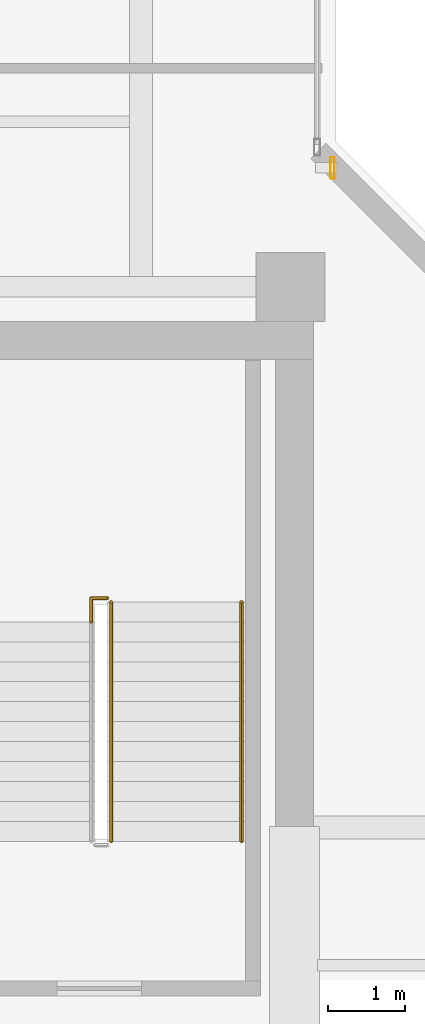
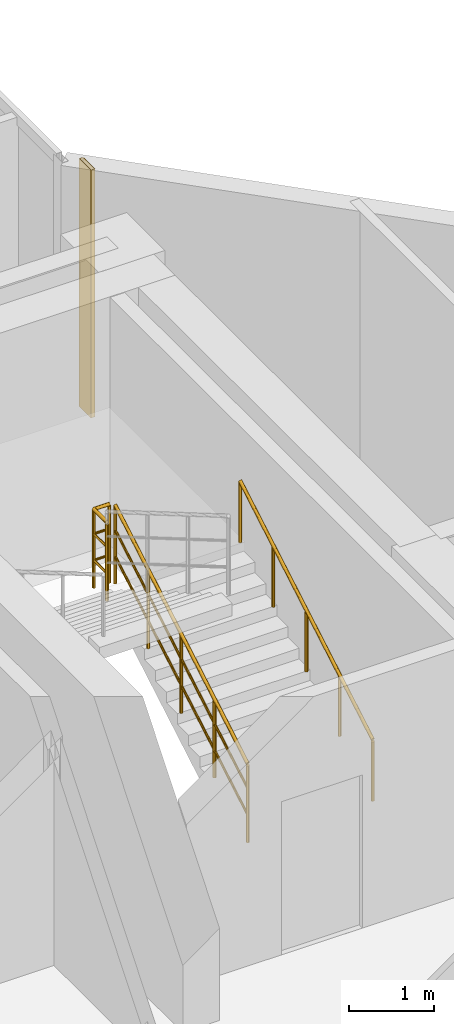
# One storey, part 22 of 24: 3 railings, 1 shading device.
"""IFC4 building model written with IfcOpenShell, lengths in metres."""

from ifc_helpers import new_model, si_unit, direction, frame, origin, origin_2d, place, context, subcontext, project, spatial, hollow_rectangle, circle, extrude, material, material_profile, profile_set, type_object, element, save


model = new_model("IFC4")

# Units and contexts
model_context = context("Model", 3, precision=1e-05, world=origin(), true_north=direction((0.0, 1.0)))
body_context = subcontext(model_context, "Body", "Model", "MODEL_VIEW")
ifc_project = project(units=[si_unit("LENGTHUNIT", "METRE"), si_unit("AREAUNIT", "SQUARE_METRE"), si_unit("VOLUMEUNIT", "CUBIC_METRE"), si_unit("PLANEANGLEUNIT", "RADIAN"), si_unit("MASSUNIT", "GRAM", prefix="KILO")], contexts=[model_context])

# Site, building, storey
site_placement = place(None, origin())
site = spatial("IfcSite", under=ifc_project, at=site_placement, CompositionType="ELEMENT")
building_placement = place(site_placement, origin())
building = spatial("IfcBuilding", under=site, at=building_placement, Name="Kolvaren Waterfront Exchange", CompositionType="ELEMENT")
storey_placement = place(building_placement, frame((0.0, 0.0, 285.60009765625)))
storey = spatial("IfcBuildingStorey", under=building, at=storey_placement, Name="L73", CompositionType="ELEMENT", Elevation=285.60009765625)

# Shading device
ifc_material_1 = material(Name="Anodised bronze aluminium 6063-T6", Category="aluminium")
ifc_material_profile = material_profile(ifc_material_1, hollow_rectangle(XDim=0.054931640625, YDim=0.280029296875, WallThickness=0.00439453125, at=origin_2d()), Name="BRZ-FIN-280x55x4.5")
ifc_profile_set = profile_set([ifc_material_profile], Name="Anodised bronze aluminium 6063-T6")
shading_device_type = type_object("IfcShadingDeviceType", Name="ARC-FIN-280", PredefinedType="USERDEFINED", material=ifc_profile_set)
shading_device_placement = place(storey_placement, frame((21.296875, 26.0, 0.0), z_axis=(0.0, 0.0, 1.0), x_axis=(1.0, 0.0, 0.0)))
element("IfcShadingDevice", 1, at=shading_device_placement, inside=storey, type_object=shading_device_type, Name="L73 anodised bronze solar shading fin FIN-L73-E2", ObjectType="SOLAR FIN", PredefinedType="USERDEFINED", context=body_context, shape_type="SweptSolid", body=[
    extrude(hollow_rectangle(XDim=0.054931640625, YDim=0.280029296875, WallThickness=0.00439453125, at=origin_2d()), origin(), (0.0, 0.0, 1.0), 3.559814453125),
])

# Railings
ifc_material_2 = material(Name="Stainless steel 316", Category="steel")
railing_type_1 = type_object("IfcRailingType", Name="ARC-GUARD-STAIR", PredefinedType="GUARDRAIL", material=ifc_material_2)
railing_1_placement = place(storey_placement, frame((18.409912109375, 17.219970703125, 0.15185546875)))
element("IfcRailing", 2, at=railing_1_placement, inside=storey, type_object=railing_type_1, Name="L73 ST2 stair guard 1", PredefinedType="GUARDRAIL", context=body_context, shape_type="SweptSolid", body=[
    extrude(circle(Radius=0.02392578125, at=origin_2d()), frame((0.0, 0.0, 1.1259765625), z_axis=(0.0, 0.86330811405, 0.504677223793), x_axis=(-1.0, 0.0, 0.0)), (0.0, 0.0, 1.0), 3.6142578125),
    extrude(circle(Radius=0.01611328125, at=origin_2d()), frame((0.0, 0.0, 0.390869140625), z_axis=(0.0, 0.86330811405, 0.504677223793), x_axis=(-1.0, 0.0, 0.0)), (0.0, 0.0, 1.0), 3.6142578125),
    extrude(circle(Radius=0.01611328125, at=origin_2d()), frame((0.0, 0.0, 0.7705078125), z_axis=(0.0, 0.86330811405, 0.504677223793), x_axis=(-1.0, 0.0, 0.0)), (0.0, 0.0, 1.0), 3.6142578125),
    extrude(circle(Radius=0.02099609375, at=origin_2d()), origin(), (0.0, 0.0, 1.0), 1.101806640625),
    extrude(circle(Radius=0.02099609375, at=origin_2d()), frame((0.0, 0.780029296875, 0.4560546875)), (0.0, 0.0, 1.0), 1.101806640625),
    extrude(circle(Radius=0.02099609375, at=origin_2d()), frame((0.0, 1.56005859375, 0.912109375)), (0.0, 0.0, 1.0), 1.101806640625),
    extrude(circle(Radius=0.02099609375, at=origin_2d()), frame((0.0, 2.340087890625, 1.367919921875)), (0.0, 0.0, 1.0), 1.101806640625),
    extrude(circle(Radius=0.02099609375, at=origin_2d()), frame((0.0, 3.1201171875, 1.823974609375)), (0.0, 0.0, 1.0), 1.101806640625),
])
railing_2_placement = place(storey_placement, frame((18.360107421875, 20.389892578125, 1.975830078125)))
element("IfcRailing", 3, at=railing_2_placement, inside=storey, type_object=railing_type_1, Name="L73 ST2 stair guard 2", PredefinedType="GUARDRAIL", context=body_context, shape_type="SweptSolid", body=[
    extrude(circle(Radius=0.02392578125, at=origin_2d()), frame((0.0, 0.0, 1.1259765625), z_axis=(-1.0, 0.0, 0.0), x_axis=(0.0, -1.0, 0.0)), (0.0, 0.0, 1.0), 0.210205078125),
    extrude(circle(Radius=0.01611328125, at=origin_2d()), frame((0.0, 0.0, 0.390869140625), z_axis=(-1.0, 0.0, 0.0), x_axis=(0.0, -1.0, 0.0)), (0.0, 0.0, 1.0), 0.210205078125),
    extrude(circle(Radius=0.01611328125, at=origin_2d()), frame((0.0, 0.0, 0.7705078125), z_axis=(-1.0, 0.0, 0.0), x_axis=(0.0, -1.0, 0.0)), (0.0, 0.0, 1.0), 0.210205078125),
    extrude(circle(Radius=0.02392578125, at=origin_2d()), frame((-0.210205078125, 0.0, 1.1259765625), z_axis=(0.0, -1.0, 0.0), x_axis=(1.0, 0.0, 0.0)), (0.0, 0.0, 1.0), 0.309814453125),
    extrude(circle(Radius=0.01611328125, at=origin_2d()), frame((-0.210205078125, 0.0, 0.390869140625), z_axis=(0.0, -1.0, 0.0), x_axis=(1.0, 0.0, 0.0)), (0.0, 0.0, 1.0), 0.309814453125),
    extrude(circle(Radius=0.01611328125, at=origin_2d()), frame((-0.210205078125, 0.0, 0.7705078125), z_axis=(0.0, -1.0, 0.0), x_axis=(1.0, 0.0, 0.0)), (0.0, 0.0, 1.0), 0.309814453125),
    extrude(circle(Radius=0.02099609375, at=origin_2d()), origin(), (0.0, 0.0, 1.0), 1.101806640625),
    extrude(circle(Radius=0.02099609375, at=origin_2d()), frame((-0.210205078125, 0.0, 0.0)), (0.0, 0.0, 1.0), 1.101806640625),
    extrude(circle(Radius=0.02099609375, at=origin_2d()), frame((-0.210205078125, -0.309814453125, 0.0)), (0.0, 0.0, 1.0), 1.101806640625),
])
railing_type_2 = type_object("IfcRailingType", Name="ARC-HANDRAIL-900", PredefinedType="HANDRAIL", material=ifc_material_2)
railing_3_placement = place(storey_placement, frame((20.110107421875, 17.219970703125, 0.15185546875)))
element("IfcRailing", 4, at=railing_3_placement, inside=storey, type_object=railing_type_2, Name="L73 ST2 stair handrail 1", PredefinedType="HANDRAIL", context=body_context, shape_type="SweptSolid", body=[
    extrude(circle(Radius=0.02392578125, at=origin_2d()), frame((0.0, 0.0, 0.8759765625), z_axis=(0.0, 0.86330811405, 0.504677223793), x_axis=(-1.0, 0.0, 0.0)), (0.0, 0.0, 1.0), 3.6142578125),
    extrude(circle(Radius=0.02099609375, at=origin_2d()), origin(), (0.0, 0.0, 1.0), 0.851806640625),
    extrude(circle(Radius=0.02099609375, at=origin_2d()), frame((0.0, 0.780029296875, 0.4560546875)), (0.0, 0.0, 1.0), 0.851806640625),
    extrude(circle(Radius=0.02099609375, at=origin_2d()), frame((0.0, 1.56005859375, 0.912109375)), (0.0, 0.0, 1.0), 0.851806640625),
    extrude(circle(Radius=0.02099609375, at=origin_2d()), frame((0.0, 2.340087890625, 1.367919921875)), (0.0, 0.0, 1.0), 0.851806640625),
    extrude(circle(Radius=0.02099609375, at=origin_2d()), frame((0.0, 3.1201171875, 1.823974609375)), (0.0, 0.0, 1.0), 0.851806640625),
])

save(model, "model.ifc")
